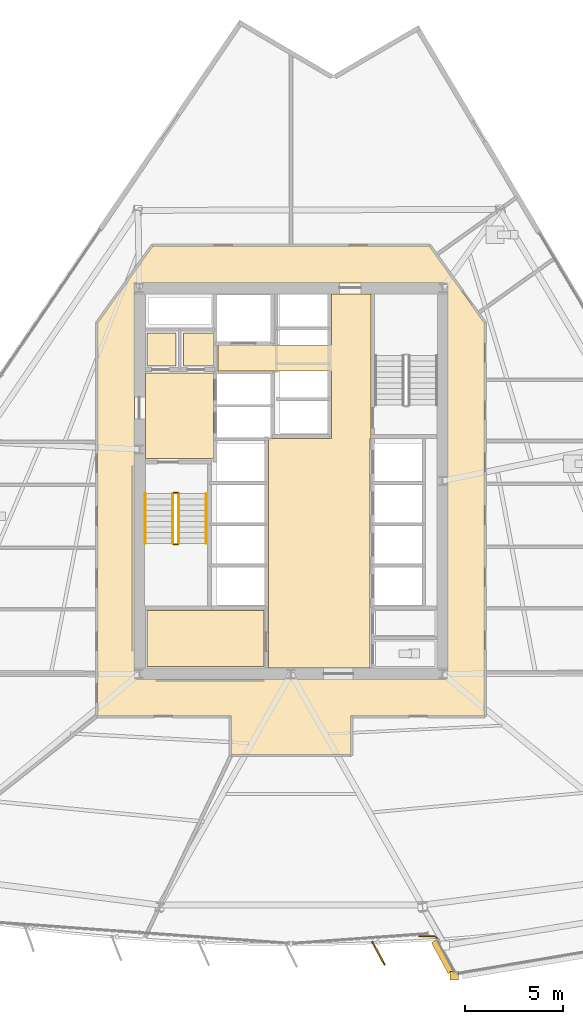
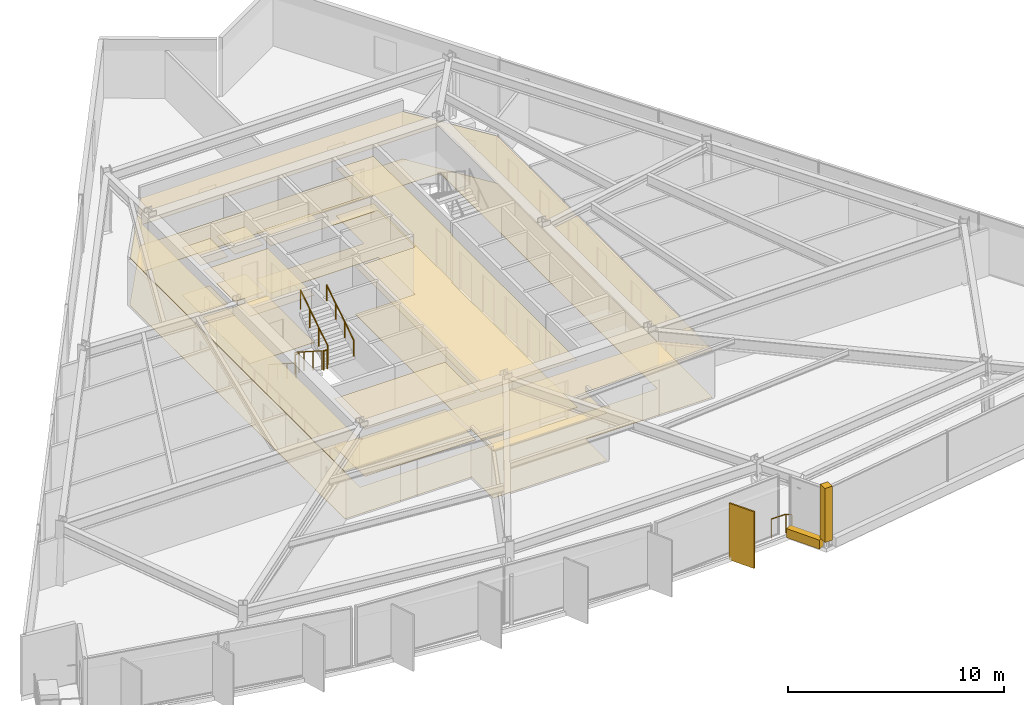
# One storey, part 14 of 18: 14 coverings, 7 railings, 1 shading device.
"""IFC4 building model written with IfcOpenShell, lengths in metres."""

import ifcopenshell
import ifcopenshell.guid

model = None  # the IFC model being written
_history = None  # IfcOwnerHistory: only IFC2X3 demands one
_inside = {}  # id of a spatial element -> (the spatial element, [elements in it])
_under = {}  # id of a project, library or spatial element -> (it, [spatial elements below it])
_declared = {}  # id of a project -> (the project, [libraries it declares])
_typed = {}  # id of a type object -> (the type object, [elements of that type])
_made_of = {}  # id of a material, layer set ... -> (it, [elements and type objects made of it])


def new_model(schema):
    """Start an empty IFC model of exactly this schema.

    Asked for "IFC4X3", IfcOpenShell would pick the latest addendum, in which some entities
    have other attributes; the version numbers below select the first issue.
    IFC2X3 requires an IfcOwnerHistory on every rooted entity: one is made here for all.
    """
    global model, _history
    if schema == "IFC4X3":
        model = ifcopenshell.file(schema_version=(4, 3, 0, 0))
    else:
        model = ifcopenshell.file(schema=schema)
    _inside.clear()
    _under.clear()
    _declared.clear()
    _typed.clear()
    _made_of.clear()
    _history = None
    if model.schema == "IFC2X3":
        org = make("IfcOrganization", Name="unknown")
        user = make(
            "IfcPersonAndOrganization",
            ThePerson=make("IfcPerson", FamilyName="unknown"),
            TheOrganization=org,
        )
        app = make(
            "IfcApplication",
            ApplicationDeveloper=org,
            Version="unknown",
            ApplicationFullName="unknown",
            ApplicationIdentifier="unknown",
        )
        _history = make(
            "IfcOwnerHistory",
            OwningUser=user,
            OwningApplication=app,
            ChangeAction="ADDED",
            CreationDate=0,
        )
    return model


def make(cls, **values):
    """One entity of the class cls with the attributes given. An attribute that is None is left unset."""
    return model.create_entity(
        cls, **{name: value for name, value in values.items() if value is not None}
    )


def rooted(cls, **values):
    """An entity with a GlobalId (a new one), such as an element, a storey or a relation."""
    return make(cls, GlobalId=ifcopenshell.guid.new(), OwnerHistory=_history, **values)


def si_unit(unit_type, name, prefix=None):
    """IfcSIUnit, for example si_unit("LENGTHUNIT", "METRE", prefix="MILLI")."""
    return make("IfcSIUnit", UnitType=unit_type, Prefix=prefix, Name=name)


def assignment(units):
    """IfcUnitAssignment: the units of a project."""
    return None if units is None else make("IfcUnitAssignment", Units=units)


def point(xyz):
    """IfcCartesianPoint."""
    return None if xyz is None else make("IfcCartesianPoint", Coordinates=xyz)


def direction(xyz):
    """IfcDirection."""
    return None if xyz is None else make("IfcDirection", DirectionRatios=xyz)


def frame(location, z_axis=None, x_axis=None):
    """IfcAxis2Placement3D, a coordinate frame: its origin and axes. An axis left out is left unset."""
    return make(
        "IfcAxis2Placement3D",
        Location=point(location),
        Axis=direction(z_axis),
        RefDirection=direction(x_axis),
    )


def frame_2d(location, x_axis=None):
    """IfcAxis2Placement2D, a coordinate frame in the plane: its origin and x axis."""
    return make(
        "IfcAxis2Placement2D", Location=point(location), RefDirection=direction(x_axis)
    )


def origin():
    """The frame at (0, 0, 0) with its axes left unset."""
    return frame((0.0, 0.0, 0.0))


def origin_2d():
    """The frame at (0, 0) in the plane with its x axis left unset."""
    return frame_2d((0.0, 0.0))


def place(relative_to, where):
    """IfcLocalPlacement: puts the frame where relative to a parent placement (None: the world)."""
    return make(
        "IfcLocalPlacement", PlacementRelTo=relative_to, RelativePlacement=where
    )


def context(
    kind, dimensions, precision=None, world=None, true_north=None, identifier=None
):
    """IfcGeometricRepresentationContext, for example the 3D "Model" context."""
    return make(
        "IfcGeometricRepresentationContext",
        ContextIdentifier=identifier,
        ContextType=kind,
        CoordinateSpaceDimension=dimensions,
        Precision=precision,
        WorldCoordinateSystem=world,
        TrueNorth=true_north,
    )


def subcontext(parent, identifier, kind, view, scale=None):
    """IfcGeometricRepresentationSubContext, for example "Body" below "Model"."""
    return make(
        "IfcGeometricRepresentationSubContext",
        ContextIdentifier=identifier,
        ContextType=kind,
        ParentContext=parent,
        TargetScale=scale,
        TargetView=view,
    )


def project(units=None, contexts=None):
    """IfcProject with its units and contexts."""
    return rooted(
        "IfcProject",
        Name="project",
        RepresentationContexts=contexts,
        UnitsInContext=assignment(units),
    )


def spatial(cls, under=None, at=None, **own):
    """A site, building, storey or space (cls), placed at a placement, below another one or the project."""
    s = rooted(cls, ObjectPlacement=at, **own)
    if under is not None:
        _under.setdefault(under.id(), (under, []))[1].append(s)
    return s


def polyline(points):
    """IfcPolyline through the points."""
    return make("IfcPolyline", Points=[point(p) for p in points])


def profile(cls, at=None, kind="AREA", **sizes):
    """A parametric profile (cls). Its sizes go by their IFC names, for example OverallWidth=200.0."""
    return make(cls, ProfileType=kind, Position=at, **sizes)


def rectangle(**sizes):
    """IfcRectangleProfileDef."""
    return profile("IfcRectangleProfileDef", **sizes)


def circle(**sizes):
    """IfcCircleProfileDef."""
    return profile("IfcCircleProfileDef", **sizes)


def outline(outer, holes=None, kind="AREA"):
    """IfcArbitraryClosedProfileDef: a profile drawn as a closed curve; with holes, ...WithVoids."""
    if holes is None:
        return make("IfcArbitraryClosedProfileDef", ProfileType=kind, OuterCurve=outer)
    return make(
        "IfcArbitraryProfileDefWithVoids",
        ProfileType=kind,
        OuterCurve=outer,
        InnerCurves=holes,
    )


def extrude(swept, where, along, depth):
    """IfcExtrudedAreaSolid: the profile swept, set in the frame where, extruded along a direction by depth."""
    return make(
        "IfcExtrudedAreaSolid",
        SweptArea=swept,
        Position=where,
        ExtrudedDirection=direction(along),
        Depth=depth,
    )


def shape(context_of_items, identifier, shape_type, items):
    """IfcShapeRepresentation: the items that make up one representation, for example the "Body"."""
    return make(
        "IfcShapeRepresentation",
        ContextOfItems=context_of_items,
        RepresentationIdentifier=identifier,
        RepresentationType=shape_type,
        Items=items,
    )


def material(Name=None, Category=None):
    """IfcMaterial."""
    return make("IfcMaterial", Name=Name, Category=Category)


def layer(
    of_material, thickness, ventilated=None, Name=None, Category=None, Priority=None
):
    """IfcMaterialLayer: one layer of a wall or slab, of a material (None: an air gap)."""
    return make(
        "IfcMaterialLayer",
        Material=of_material,
        LayerThickness=thickness,
        IsVentilated=ventilated,
        Name=Name,
        Category=Category,
        Priority=Priority,
    )


def layer_set(layers, Name=None):
    """IfcMaterialLayerSet."""
    return make("IfcMaterialLayerSet", MaterialLayers=layers, LayerSetName=Name)


def made_of(thing, what):
    """Note that an element or type object is made of a material, layer set ...; save() writes the relation."""
    if what is not None:
        _made_of.setdefault(what.id(), (what, []))[1].append(thing)
    return thing


def type_object(cls, material=None, **own):
    """A type object (cls), such as IfcWallType, which elements share."""
    return made_of(rooted(cls, **own), material)


def element(
    cls,
    number,
    at=None,
    inside=None,
    cuts=None,
    type_object=None,
    material=None,
    context=None,
    identifier="Body",
    shape_type=None,
    held_by="IfcProductDefinitionShape",
    body=None,
    shapes=None,
    **own,
):
    """One element of the class cls, such as IfcWall. Its Tag is "e" and its number.

    at: its placement. inside: the storey or other place that contains it. cuts: it is an
    opening in that element (IfcRelVoidsElement). A single representation is given by context,
    identifier, shape_type and body (its items); several are given by shapes. held_by: the class
    of the entity that holds the representations. save() writes the other relations.
    """
    e = rooted(cls, Tag="e%d" % number, ObjectPlacement=at, **own)
    if body is not None:
        shapes = [shape(context, identifier, shape_type, body)]
    if shapes is not None:
        e.Representation = make(held_by, Representations=shapes)
    if inside is not None:
        _inside.setdefault(inside.id(), (inside, []))[1].append(e)
    if cuts is not None:
        rooted(
            "IfcRelVoidsElement", RelatingBuildingElement=cuts, RelatedOpeningElement=e
        )
    if type_object is not None:
        _typed.setdefault(type_object.id(), (type_object, []))[1].append(e)
    return made_of(e, material)


def aggregate(whole, parts):
    """IfcRelAggregates: a whole, such as a stair, and the parts it consists of."""
    return rooted("IfcRelAggregates", RelatingObject=whole, RelatedObjects=parts)


def save(model, path):
    """Write the relations noted so far, then the file.

    IfcRelAggregates (storeys below a building ...), IfcRelContainedInSpatialStructure (elements
    in a storey), IfcRelDefinesByType, IfcRelAssociatesMaterial and IfcRelDeclares: one each for
    every whole, place, type object, material and project.
    """
    for whole, parts in _under.values():
        aggregate(whole, parts)
    for where, things in _inside.values():
        rooted(
            "IfcRelContainedInSpatialStructure",
            RelatedElements=things,
            RelatingStructure=where,
        )
    for kind, things in _typed.values():
        rooted("IfcRelDefinesByType", RelatedObjects=things, RelatingType=kind)
    for what, things in _made_of.values():
        rooted("IfcRelAssociatesMaterial", RelatedObjects=things, RelatingMaterial=what)
    for by, libraries in _declared.values():
        rooted("IfcRelDeclares", RelatingContext=by, RelatedDefinitions=libraries)
    model.write(path)


model = new_model("IFC4")

# Units and contexts
model_context = context("Model", 3, precision=1e-05, world=origin(), true_north=direction((0.0, 1.0)))
body_context = subcontext(model_context, "Body", "Model", "MODEL_VIEW")
ifc_project = project(units=[si_unit("LENGTHUNIT", "METRE"), si_unit("AREAUNIT", "SQUARE_METRE"), si_unit("VOLUMEUNIT", "CUBIC_METRE"), si_unit("PLANEANGLEUNIT", "RADIAN"), si_unit("MASSUNIT", "GRAM", prefix="KILO")], contexts=[model_context])

# Site, building, storey
site_placement = place(None, origin())
site = spatial("IfcSite", under=ifc_project, at=site_placement, CompositionType="ELEMENT")
building_placement = place(site_placement, origin())
building = spatial("IfcBuilding", under=site, at=building_placement, Name="Savorim Split Tower", CompositionType="ELEMENT")
storey_placement = place(building_placement, frame((0.0, 0.0, 48.0)))
storey = spatial("IfcBuildingStorey", under=building, at=storey_placement, Name="L12", CompositionType="ELEMENT", Elevation=48.0)

# Coverings
ifc_material_1 = material(Name="Mineral Fibre Acoustic Ceiling")
ifc_layer_1 = layer(ifc_material_1, 0.02490234375)
ifc_layer_set_1 = layer_set([ifc_layer_1], Name="COV-CEIL-25")
covering_type_1 = type_object("IfcCoveringType", Name="COV-CEIL-25", PredefinedType="CEILING", material=ifc_layer_set_1)
covering_1_placement = place(storey_placement, frame((0.0, 0.0, 2.669921875)))
element("IfcCovering", 1, at=covering_1_placement, inside=storey, type_object=covering_type_1, Name="L12 Firefighting Lift Lobby Acoustic Ceiling", PredefinedType="CEILING", context=body_context, shape_type="SweptSolid", body=[
    extrude(outline(polyline([(-7.3798828125, 5.8701171875), (-7.3798828125, 1.530029296875), (-3.929931640625, 1.530029296875), (-3.929931640625, 5.8701171875), (-7.3798828125, 5.8701171875)])), origin(), (0.0, 0.0, 1.0), 0.025146484375),
])
covering_2_placement = place(storey_placement, frame((0.0, 0.0, 2.669921875)))
element("IfcCovering", 2, at=covering_2_placement, inside=storey, type_object=covering_type_1, Name="L12 Electrical Riser Acoustic Ceiling", PredefinedType="CEILING", context=body_context, shape_type="SweptSolid", body=[
    extrude(outline(polyline([(-7.320068359375, 7.919921875), (-7.320068359375, 6.22998046875), (-5.830078125, 6.22998046875), (-5.830078125, 7.919921875), (-7.320068359375, 7.919921875)])), origin(), (0.0, 0.0, 1.0), 0.025146484375),
])
covering_3_placement = place(storey_placement, frame((0.0, 0.0, 2.669921875)))
element("IfcCovering", 3, at=covering_3_placement, inside=storey, type_object=covering_type_1, Name="L12 Telecom Riser Acoustic Ceiling", PredefinedType="CEILING", context=body_context, shape_type="SweptSolid", body=[
    extrude(outline(polyline([(-5.469970703125, 7.919921875), (-5.469970703125, 6.22998046875), (-3.929931640625, 6.22998046875), (-3.929931640625, 7.919921875), (-5.469970703125, 7.919921875)])), origin(), (0.0, 0.0, 1.0), 0.025146484375),
])
covering_4_placement = place(storey_placement, frame((0.0, 0.0, 2.669921875)))
element("IfcCovering", 4, at=covering_4_placement, inside=storey, type_object=covering_type_1, Name="L12 Lift Lobby Acoustic Ceiling", PredefinedType="CEILING", context=body_context, shape_type="SweptSolid", body=[
    extrude(outline(polyline([(2.050048828125, 2.550048828125), (-1.14990234375, 2.550048828125), (-1.14990234375, -9.10009765625), (4.0, -9.10009765625), (4.0, 2.550048828125), (4.050048828125, 2.550048828125), (4.050048828125, 5.97998046875), (4.050048828125, 7.300048828125), (4.050048828125, 9.8798828125), (2.050048828125, 9.8798828125), (2.050048828125, 7.300048828125), (-3.699951171875, 7.300048828125), (-3.699951171875, 5.97998046875), (2.050048828125, 5.97998046875), (2.050048828125, 2.550048828125)])), origin(), (0.0, 0.0, 1.0), 0.025146484375),
])
covering_5_placement = place(storey_placement, frame((0.0, 0.0, 2.669921875)))
element("IfcCovering", 5, at=covering_5_placement, inside=storey, type_object=covering_type_1, Name="L12 Housekeeping Store Acoustic Ceiling", PredefinedType="CEILING", context=body_context, shape_type="SweptSolid", body=[
    extrude(outline(polyline([(-7.320068359375, -6.179931640625), (-7.320068359375, -9.02001953125), (-1.3798828125, -9.02001953125), (-1.3798828125, -6.179931640625), (-7.320068359375, -6.179931640625)])), origin(), (0.0, 0.0, 1.0), 0.025146484375),
])
covering_6_placement = place(storey_placement, frame((0.0, 0.0, 2.669921875)))
element("IfcCovering", 6, at=covering_6_placement, inside=storey, type_object=covering_type_1, Name="L12 Corridor Acoustic Ceiling", PredefinedType="CEILING", context=body_context, shape_type="SweptSolid", body=[
    extrude(outline(polyline([(7.009521484375, 12.3291015625), (7.004638671875, 12.329833984375), (7.0, 12.330078125), (-7.0, 12.330078125), (-7.004638671875, 12.329833984375), (-7.009521484375, 12.3291015625), (-7.013916015625, 12.327880859375), (-7.0185546875, 12.326416015625), (-7.022705078125, 12.324462890625), (-7.027099609375, 12.322021484375), (-7.03076171875, 12.3193359375), (-7.034423828125, 12.31640625), (-7.03759765625, 12.312744140625), (-7.04052734375, 12.30908203125), (-9.820556640625, 8.42919921875), (-9.823486328125, 8.4248046875), (-9.82568359375, 8.420166015625), (-9.82763671875, 8.415283203125), (-9.828857421875, 8.410400390625), (-9.82958984375, 8.4052734375), (-9.830078125, 8.39990234375), (-9.830078125, -11.47998046875), (-9.829833984375, -11.48486328125), (-9.8291015625, -11.48974609375), (-9.827880859375, -11.494384765625), (-9.826171875, -11.4990234375), (-9.82421875, -11.503662109375), (-9.821533203125, -11.5078125), (-9.818603515625, -11.51171875), (-9.8154296875, -11.515380859375), (-9.811767578125, -11.518798828125), (-9.807861328125, -11.521484375), (-9.8037109375, -11.524169921875), (-9.799072265625, -11.526123046875), (-9.79443359375, -11.52783203125), (-9.789794921875, -11.529052734375), (-9.784912109375, -11.52978515625), (-9.780029296875, -11.530029296875), (-3.050048828125, -11.530029296875), (-3.050048828125, -13.449951171875), (-3.0498046875, -13.454833984375), (-3.049072265625, -13.459716796875), (-3.0478515625, -13.464599609375), (-3.046142578125, -13.468994140625), (-3.044189453125, -13.4736328125), (-3.04150390625, -13.477783203125), (-3.038818359375, -13.481689453125), (-3.035400390625, -13.4853515625), (-3.03173828125, -13.48876953125), (-3.02783203125, -13.49169921875), (-3.023681640625, -13.494140625), (-3.01904296875, -13.49609375), (-3.014404296875, -13.497802734375), (-3.009765625, -13.4990234375), (-3.0048828125, -13.499755859375), (-3.0, -13.5), (3.0, -13.5), (3.0048828125, -13.499755859375), (3.009765625, -13.4990234375), (3.014404296875, -13.497802734375), (3.01904296875, -13.49609375), (3.023681640625, -13.494140625), (3.02783203125, -13.49169921875), (3.03173828125, -13.48876953125), (3.035400390625, -13.4853515625), (3.038818359375, -13.481689453125), (3.04150390625, -13.477783203125), (3.044189453125, -13.4736328125), (3.046142578125, -13.468994140625), (3.0478515625, -13.464599609375), (3.049072265625, -13.459716796875), (3.0498046875, -13.454833984375), (3.050048828125, -13.449951171875), (3.050048828125, -11.530029296875), (9.780029296875, -11.530029296875), (9.784912109375, -11.52978515625), (9.789794921875, -11.529052734375), (9.79443359375, -11.52783203125), (9.799072265625, -11.526123046875), (9.8037109375, -11.524169921875), (9.807861328125, -11.521484375), (9.811767578125, -11.518798828125), (9.8154296875, -11.515380859375), (9.818603515625, -11.51171875), (9.821533203125, -11.5078125), (9.82421875, -11.503662109375), (9.826171875, -11.4990234375), (9.827880859375, -11.494384765625), (9.8291015625, -11.48974609375), (9.829833984375, -11.48486328125), (9.830078125, -11.47998046875), (9.830078125, 8.39990234375), (9.82958984375, 8.4052734375), (9.828857421875, 8.410400390625), (9.82763671875, 8.415283203125), (9.82568359375, 8.420166015625), (9.823486328125, 8.4248046875), (9.820556640625, 8.42919921875), (7.04052734375, 12.30908203125), (7.03759765625, 12.312744140625), (7.034423828125, 12.31640625), (7.03076171875, 12.3193359375), (7.027099609375, 12.322021484375), (7.022705078125, 12.324462890625), (7.0185546875, 12.326416015625), (7.013916015625, 12.327880859375), (7.009521484375, 12.3291015625)]), holes=[polyline([(-7.949951171875, 10.449951171875), (-7.949951171875, -9.64990234375), (7.949951171875, -9.64990234375), (7.949951171875, 10.449951171875), (-7.949951171875, 10.449951171875)])]), origin(), (0.0, 0.0, 1.0), 0.025146484375),
])
ifc_material_2 = material(Name="Porcelain Stoneware Flooring", Category="masonry")
ifc_layer_2 = layer(ifc_material_2, 0.02001953125)
ifc_layer_set_2 = layer_set([ifc_layer_2], Name="COV-FLOR-20")
covering_type_2 = type_object("IfcCoveringType", Name="COV-FLOR-20", PredefinedType="FLOORING", material=ifc_layer_set_2)
covering_7_placement = place(storey_placement, origin())
element("IfcCovering", 7, at=covering_7_placement, inside=storey, type_object=covering_type_2, Name="L12 Firefighting Lift Lobby Porcelain Flooring", PredefinedType="FLOORING", context=body_context, shape_type="SweptSolid", body=[
    extrude(outline(polyline([(-7.3798828125, 5.8701171875), (-7.3798828125, 1.530029296875), (-3.929931640625, 1.530029296875), (-3.929931640625, 5.8701171875), (-7.3798828125, 5.8701171875)])), origin(), (0.0, 0.0, 1.0), 0.02001953125),
])
covering_8_placement = place(storey_placement, origin())
element("IfcCovering", 8, at=covering_8_placement, inside=storey, type_object=covering_type_2, Name="L12 Electrical Riser Porcelain Flooring", PredefinedType="FLOORING", context=body_context, shape_type="SweptSolid", body=[
    extrude(outline(polyline([(-7.320068359375, 7.919921875), (-7.320068359375, 6.22998046875), (-5.830078125, 6.22998046875), (-5.830078125, 7.919921875), (-7.320068359375, 7.919921875)])), origin(), (0.0, 0.0, 1.0), 0.02001953125),
])
covering_9_placement = place(storey_placement, origin())
element("IfcCovering", 9, at=covering_9_placement, inside=storey, type_object=covering_type_2, Name="L12 Telecom Riser Porcelain Flooring", PredefinedType="FLOORING", context=body_context, shape_type="SweptSolid", body=[
    extrude(outline(polyline([(-5.469970703125, 7.919921875), (-5.469970703125, 6.22998046875), (-3.929931640625, 6.22998046875), (-3.929931640625, 7.919921875), (-5.469970703125, 7.919921875)])), origin(), (0.0, 0.0, 1.0), 0.02001953125),
])
covering_10_placement = place(storey_placement, origin())
element("IfcCovering", 10, at=covering_10_placement, inside=storey, type_object=covering_type_2, Name="L12 Lift Lobby Porcelain Flooring", PredefinedType="FLOORING", context=body_context, shape_type="SweptSolid", body=[
    extrude(outline(polyline([(2.050048828125, 2.550048828125), (-1.14990234375, 2.550048828125), (-1.14990234375, -9.10009765625), (4.0, -9.10009765625), (4.0, 2.550048828125), (4.050048828125, 2.550048828125), (4.050048828125, 5.97998046875), (4.050048828125, 7.300048828125), (4.050048828125, 9.8798828125), (2.050048828125, 9.8798828125), (2.050048828125, 7.300048828125), (-3.699951171875, 7.300048828125), (-3.699951171875, 5.97998046875), (2.050048828125, 5.97998046875), (2.050048828125, 2.550048828125)])), origin(), (0.0, 0.0, 1.0), 0.02001953125),
])
covering_11_placement = place(storey_placement, origin())
element("IfcCovering", 11, at=covering_11_placement, inside=storey, type_object=covering_type_2, Name="L12 Housekeeping Store Porcelain Flooring", PredefinedType="FLOORING", context=body_context, shape_type="SweptSolid", body=[
    extrude(outline(polyline([(-7.320068359375, -6.179931640625), (-7.320068359375, -9.02001953125), (-1.3798828125, -9.02001953125), (-1.3798828125, -6.179931640625), (-7.320068359375, -6.179931640625)])), origin(), (0.0, 0.0, 1.0), 0.02001953125),
])
covering_12_placement = place(storey_placement, origin())
element("IfcCovering", 12, at=covering_12_placement, inside=storey, type_object=covering_type_2, Name="L12 Corridor Porcelain Flooring", PredefinedType="FLOORING", context=body_context, shape_type="SweptSolid", body=[
    extrude(outline(polyline([(7.009521484375, 12.3291015625), (7.004638671875, 12.329833984375), (7.0, 12.330078125), (-7.0, 12.330078125), (-7.004638671875, 12.329833984375), (-7.009521484375, 12.3291015625), (-7.013916015625, 12.327880859375), (-7.0185546875, 12.326416015625), (-7.022705078125, 12.324462890625), (-7.027099609375, 12.322021484375), (-7.03076171875, 12.3193359375), (-7.034423828125, 12.31640625), (-7.03759765625, 12.312744140625), (-7.04052734375, 12.30908203125), (-9.820556640625, 8.42919921875), (-9.823486328125, 8.4248046875), (-9.82568359375, 8.420166015625), (-9.82763671875, 8.415283203125), (-9.828857421875, 8.410400390625), (-9.82958984375, 8.4052734375), (-9.830078125, 8.39990234375), (-9.830078125, -11.47998046875), (-9.829833984375, -11.48486328125), (-9.8291015625, -11.48974609375), (-9.827880859375, -11.494384765625), (-9.826171875, -11.4990234375), (-9.82421875, -11.503662109375), (-9.821533203125, -11.5078125), (-9.818603515625, -11.51171875), (-9.8154296875, -11.515380859375), (-9.811767578125, -11.518798828125), (-9.807861328125, -11.521484375), (-9.8037109375, -11.524169921875), (-9.799072265625, -11.526123046875), (-9.79443359375, -11.52783203125), (-9.789794921875, -11.529052734375), (-9.784912109375, -11.52978515625), (-9.780029296875, -11.530029296875), (-3.050048828125, -11.530029296875), (-3.050048828125, -13.449951171875), (-3.0498046875, -13.454833984375), (-3.049072265625, -13.459716796875), (-3.0478515625, -13.464599609375), (-3.046142578125, -13.468994140625), (-3.044189453125, -13.4736328125), (-3.04150390625, -13.477783203125), (-3.038818359375, -13.481689453125), (-3.035400390625, -13.4853515625), (-3.03173828125, -13.48876953125), (-3.02783203125, -13.49169921875), (-3.023681640625, -13.494140625), (-3.01904296875, -13.49609375), (-3.014404296875, -13.497802734375), (-3.009765625, -13.4990234375), (-3.0048828125, -13.499755859375), (-3.0, -13.5), (3.0, -13.5), (3.0048828125, -13.499755859375), (3.009765625, -13.4990234375), (3.014404296875, -13.497802734375), (3.01904296875, -13.49609375), (3.023681640625, -13.494140625), (3.02783203125, -13.49169921875), (3.03173828125, -13.48876953125), (3.035400390625, -13.4853515625), (3.038818359375, -13.481689453125), (3.04150390625, -13.477783203125), (3.044189453125, -13.4736328125), (3.046142578125, -13.468994140625), (3.0478515625, -13.464599609375), (3.049072265625, -13.459716796875), (3.0498046875, -13.454833984375), (3.050048828125, -13.449951171875), (3.050048828125, -11.530029296875), (9.780029296875, -11.530029296875), (9.784912109375, -11.52978515625), (9.789794921875, -11.529052734375), (9.79443359375, -11.52783203125), (9.799072265625, -11.526123046875), (9.8037109375, -11.524169921875), (9.807861328125, -11.521484375), (9.811767578125, -11.518798828125), (9.8154296875, -11.515380859375), (9.818603515625, -11.51171875), (9.821533203125, -11.5078125), (9.82421875, -11.503662109375), (9.826171875, -11.4990234375), (9.827880859375, -11.494384765625), (9.8291015625, -11.48974609375), (9.829833984375, -11.48486328125), (9.830078125, -11.47998046875), (9.830078125, 8.39990234375), (9.82958984375, 8.4052734375), (9.828857421875, 8.410400390625), (9.82763671875, 8.415283203125), (9.82568359375, 8.420166015625), (9.823486328125, 8.4248046875), (9.820556640625, 8.42919921875), (7.04052734375, 12.30908203125), (7.03759765625, 12.312744140625), (7.034423828125, 12.31640625), (7.03076171875, 12.3193359375), (7.027099609375, 12.322021484375), (7.022705078125, 12.324462890625), (7.0185546875, 12.326416015625), (7.013916015625, 12.327880859375), (7.009521484375, 12.3291015625)]), holes=[polyline([(-7.949951171875, 10.449951171875), (-7.949951171875, -9.64990234375), (7.949951171875, -9.64990234375), (7.949951171875, 10.449951171875), (-7.949951171875, 10.449951171875)])]), origin(), (0.0, 0.0, 1.0), 0.02001953125),
])
ifc_material_3 = material(Name="White Porcelain Architectural Cladding")
ifc_layer_3 = layer(ifc_material_3, 0.139892578125)
ifc_layer_set_3 = layer_set([ifc_layer_3], Name="COV-FRM-WHITE")
covering_type_3 = type_object("IfcCoveringType", Name="COV-FRM-WHITE", PredefinedType="CLADDING", material=ifc_layer_set_3)
covering_13_placement = place(storey_placement, frame((0.0, 0.0, 0.010009765625)))
element("IfcCovering", 13, at=covering_13_placement, inside=storey, type_object=covering_type_3, Name="L12 Cantilevered Lounge White Lower Frame Band W", PredefinedType="CLADDING", context=body_context, shape_type="SweptSolid", body=[
    extrude(outline(polyline([(7.12841796875, -23.04248046875), (7.984619140625, -24.625732421875), (8.28369140625, -24.464111328125), (7.427490234375, -22.880615234375), (7.12841796875, -23.04248046875)])), origin(), (0.0, 0.0, 1.0), 0.510009765625),
])
covering_14_placement = place(storey_placement, frame((0.0, 0.0, 0.5400390625)))
element("IfcCovering", 14, at=covering_14_placement, inside=storey, type_object=covering_type_3, Name="L12 Cantilevered Lounge White Frame Corner Post 1", PredefinedType="CLADDING", context=body_context, shape_type="SweptSolid", body=[
    extrude(outline(polyline([(8.082275390625, -24.942138671875), (8.502197265625, -24.942138671875), (8.502197265625, -24.522216796875), (8.082275390625, -24.522216796875), (8.082275390625, -24.942138671875)])), origin(), (0.0, 0.0, 1.0), 3.050048828125),
])

# Railings
ifc_material_4 = material(Name="Galvanised Painted Steel Balustrade", Category="steel")
railing_type_1 = type_object("IfcRailingType", Name="RLG-BAL-1100", PredefinedType="BALUSTRADE", material=ifc_material_4)
railing_1_placement = place(storey_placement, frame((6.503662109375, -22.71728515625, 0.0)))
element("IfcRailing", 15, at=railing_1_placement, inside=storey, type_object=railing_type_1, Name="L12 Cantilevered Lounge West Edge Closure Guard", PredefinedType="BALUSTRADE", context=body_context, shape_type="SweptSolid", body=[
    extrude(circle(Radius=0.02392578125, at=origin_2d()), frame((0.0, 0.0, 1.076171875), z_axis=(1.0, 0.0, 0.0), x_axis=(0.0, 1.0, 0.0)), (0.0, 0.0, 1.0), 0.780029296875),
    extrude(circle(Radius=0.02392578125, at=origin_2d()), frame((0.780029296875, 0.0, 1.076171875), z_axis=(0.794406531627, -0.60738641943, 0.0), x_axis=(0.60738641943, 0.794406531627, 0.0)), (0.0, 0.0, 1.0), 0.28466796875),
    extrude(circle(Radius=0.02099609375, at=origin_2d()), origin(), (0.0, 0.0, 1.0), 1.052001953125),
    extrude(circle(Radius=0.02099609375, at=origin_2d()), frame((0.780029296875, 0.0, 0.0)), (0.0, 0.0, 1.0), 1.052001953125),
    extrude(circle(Radius=0.02099609375, at=origin_2d()), frame((1.006103515625, -0.1728515625, 0.0)), (0.0, 0.0, 1.0), 1.052001953125),
])
railing_type_2 = type_object("IfcRailingType", Name="RLG-HR-900", PredefinedType="HANDRAIL", material=ifc_material_4)
railing_2_placement = place(storey_placement, frame((-7.39990234375, -0.25, 0.179931640625)))
element("IfcRailing", 16, at=railing_2_placement, inside=storey, type_object=railing_type_2, Name="L12 ST-1 stair handrail 1", PredefinedType="HANDRAIL", context=body_context, shape_type="SweptSolid", body=[
    extrude(circle(Radius=0.02392578125, at=origin_2d()), frame((0.0, 0.0, 0.8759765625), z_axis=(0.0, -0.841162588446, 0.540782303519), x_axis=(1.0, 0.0, 0.0)), (0.0, 0.0, 1.0), 2.995849609375),
    extrude(circle(Radius=0.02099609375, at=origin_2d()), origin(), (0.0, 0.0, 1.0), 0.851806640625),
    extrude(circle(Radius=0.02099609375, at=origin_2d()), frame((0.0, -0.840087890625, 0.5400390625)), (0.0, 0.0, 1.0), 0.851806640625),
    extrude(circle(Radius=0.02099609375, at=origin_2d()), frame((0.0, -1.679931640625, 1.080078125)), (0.0, 0.0, 1.0), 0.851806640625),
    extrude(circle(Radius=0.02099609375, at=origin_2d()), frame((0.0, -2.52001953125, 1.6201171875)), (0.0, 0.0, 1.0), 0.851806640625),
])
railing_3_placement = place(storey_placement, frame((-4.300048828125, -2.77001953125, 1.97998046875)))
element("IfcRailing", 17, at=railing_3_placement, inside=storey, type_object=railing_type_2, Name="L12 ST-1 stair handrail 2", PredefinedType="HANDRAIL", context=body_context, shape_type="SweptSolid", body=[
    extrude(circle(Radius=0.02392578125, at=origin_2d()), frame((0.0, 0.0, 0.8759765625), z_axis=(0.0, 0.841162588446, 0.540782303519), x_axis=(-1.0, 0.0, 0.0)), (0.0, 0.0, 1.0), 2.995849609375),
    extrude(circle(Radius=0.02099609375, at=origin_2d()), origin(), (0.0, 0.0, 1.0), 0.851806640625),
    extrude(circle(Radius=0.02099609375, at=origin_2d()), frame((0.0, 0.840087890625, 0.5400390625)), (0.0, 0.0, 1.0), 0.851806640625),
    extrude(circle(Radius=0.02099609375, at=origin_2d()), frame((0.0, 1.679931640625, 1.080078125)), (0.0, 0.0, 1.0), 0.851806640625),
    extrude(circle(Radius=0.02099609375, at=origin_2d()), frame((0.0, 2.52001953125, 1.6201171875)), (0.0, 0.0, 1.0), 0.851806640625),
])
railing_type_3 = type_object("IfcRailingType", Name="RLG-STG-1100", PredefinedType="BALUSTRADE", material=ifc_material_4)
railing_4_placement = place(storey_placement, frame((-6.0, -0.25, 0.179931640625)))
element("IfcRailing", 18, at=railing_4_placement, inside=storey, type_object=railing_type_3, Name="L12 ST-1 stair guard 1", PredefinedType="BALUSTRADE", context=body_context, shape_type="SweptSolid", body=[
    extrude(circle(Radius=0.02392578125, at=origin_2d()), frame((0.0, 0.0, 1.076171875), z_axis=(0.0, -0.841162588446, 0.540782303519), x_axis=(1.0, 0.0, 0.0)), (0.0, 0.0, 1.0), 2.995849609375),
    extrude(circle(Radius=0.02099609375, at=origin_2d()), origin(), (0.0, 0.0, 1.0), 1.052001953125),
    extrude(circle(Radius=0.02099609375, at=origin_2d()), frame((0.0, -0.840087890625, 0.5400390625)), (0.0, 0.0, 1.0), 1.052001953125),
    extrude(circle(Radius=0.02099609375, at=origin_2d()), frame((0.0, -1.679931640625, 1.080078125)), (0.0, 0.0, 1.0), 1.052001953125),
    extrude(circle(Radius=0.02099609375, at=origin_2d()), frame((0.0, -2.52001953125, 1.6201171875)), (0.0, 0.0, 1.0), 1.052001953125),
])
railing_5_placement = place(storey_placement, frame((-5.949951171875, -2.820068359375, 1.800048828125)))
element("IfcRailing", 19, at=railing_5_placement, inside=storey, type_object=railing_type_3, Name="L12 ST-1 stair guard 2", PredefinedType="BALUSTRADE", context=body_context, shape_type="SweptSolid", body=[
    extrude(circle(Radius=0.02392578125, at=origin_2d()), frame((0.0, 0.0, 1.076171875), z_axis=(1.0, 0.0, 0.0), x_axis=(0.0, 1.0, 0.0)), (0.0, 0.0, 1.0), 0.199951171875),
    extrude(circle(Radius=0.02099609375, at=origin_2d()), origin(), (0.0, 0.0, 1.0), 1.052001953125),
    extrude(circle(Radius=0.02099609375, at=origin_2d()), frame((0.199951171875, 0.0, 0.0)), (0.0, 0.0, 1.0), 1.052001953125),
])
railing_6_placement = place(storey_placement, frame((-5.699951171875, -2.77001953125, 1.97998046875)))
element("IfcRailing", 20, at=railing_6_placement, inside=storey, type_object=railing_type_3, Name="L12 ST-1 stair guard 3", PredefinedType="BALUSTRADE", context=body_context, shape_type="SweptSolid", body=[
    extrude(circle(Radius=0.02392578125, at=origin_2d()), frame((0.0, 0.0, 1.076171875), z_axis=(0.0, 0.841162588446, 0.540782303519), x_axis=(-1.0, 0.0, 0.0)), (0.0, 0.0, 1.0), 2.995849609375),
    extrude(circle(Radius=0.02099609375, at=origin_2d()), origin(), (0.0, 0.0, 1.0), 1.052001953125),
    extrude(circle(Radius=0.02099609375, at=origin_2d()), frame((0.0, 0.840087890625, 0.5400390625)), (0.0, 0.0, 1.0), 1.052001953125),
    extrude(circle(Radius=0.02099609375, at=origin_2d()), frame((0.0, 1.679931640625, 1.080078125)), (0.0, 0.0, 1.0), 1.052001953125),
    extrude(circle(Radius=0.02099609375, at=origin_2d()), frame((0.0, 2.52001953125, 1.6201171875)), (0.0, 0.0, 1.0), 1.052001953125),
])
railing_7_placement = place(storey_placement, frame((-5.949951171875, -0.199951171875, 0.0)))
element("IfcRailing", 21, at=railing_7_placement, inside=storey, type_object=railing_type_3, Name="L12 ST-1 stair guard 4", PredefinedType="BALUSTRADE", context=body_context, shape_type="SweptSolid", body=[
    extrude(circle(Radius=0.02392578125, at=origin_2d()), frame((0.0, 0.0, 1.076171875), z_axis=(1.0, 0.0, 0.0), x_axis=(0.0, 1.0, 0.0)), (0.0, 0.0, 1.0), 0.199951171875),
    extrude(circle(Radius=0.02099609375, at=origin_2d()), origin(), (0.0, 0.0, 1.0), 1.052001953125),
    extrude(circle(Radius=0.02099609375, at=origin_2d()), frame((0.199951171875, 0.0, 0.0)), (0.0, 0.0, 1.0), 1.052001953125),
])

# Shading device
ifc_material_5 = material(Name="Terracotta Ceramic-Coated Aluminium Fin", Category="masonry")
shading_device_type = type_object("IfcShadingDeviceType", Name="SHD-FIN-1360", PredefinedType="USERDEFINED", material=ifc_material_5)
shading_device_placement = place(storey_placement, frame((4.439453125, -23.585205078125, -0.2001953125), z_axis=(0.0, 0.0, 1.0), x_axis=(0.474778051978, -0.880105562623, 0.0)))
element("IfcShadingDevice", 22, at=shading_device_placement, inside=storey, type_object=shading_device_type, Name="L12 Sawtooth Shading Fin 08", ObjectType="FIN", PredefinedType="USERDEFINED", context=body_context, shape_type="SweptSolid", body=[
    extrude(rectangle(XDim=1.360107421875, YDim=0.080078125, at=origin_2d()), origin(), (0.0, 0.0, 1.0), 3.199951171875),
])

save(model, "model.ifc")
